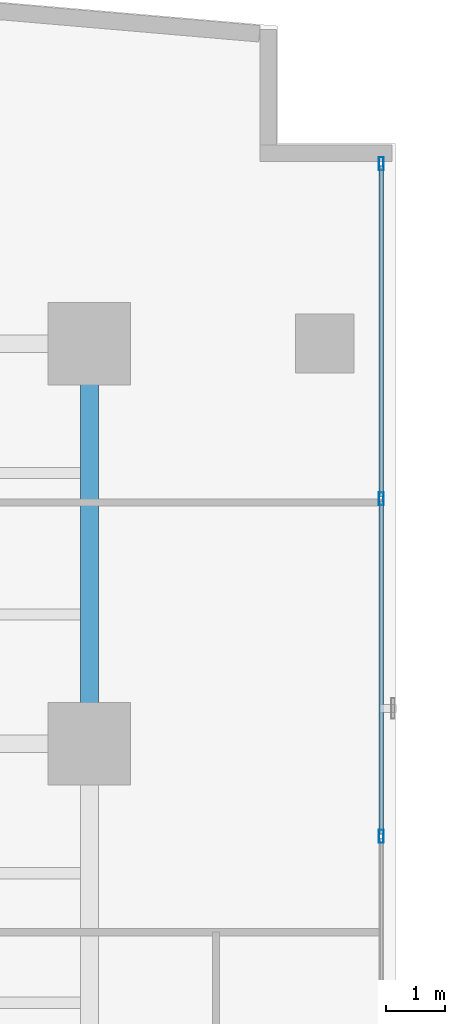
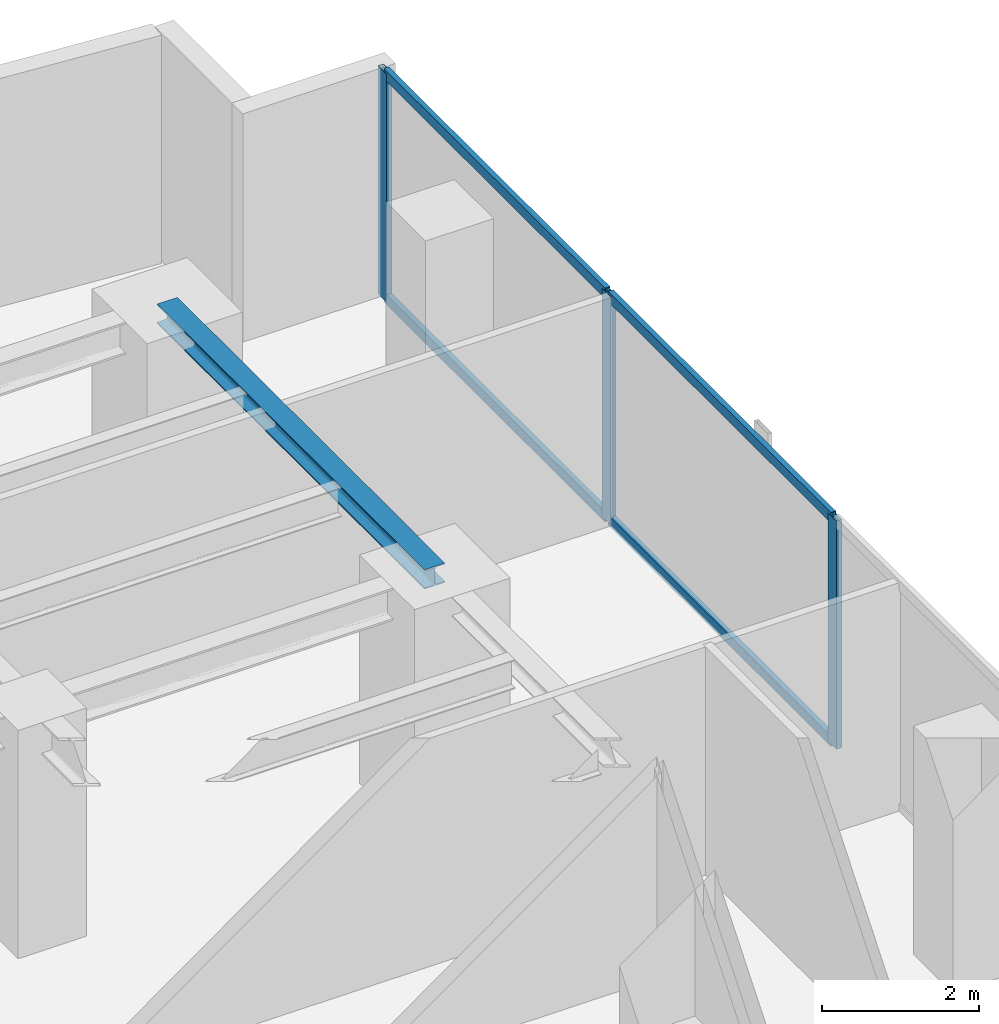
# One storey, part 18 of 28: 7 members, 1 beam, 1 element without a shape of its own.
"""IFC4 building model written with IfcOpenShell, lengths in metres."""

from ifc_helpers import new_model, si_unit, direction, frame, origin, origin_with_axes, origin_2d, place, context, subcontext, project, spatial, hollow_rectangle, i_section, extrude, source, transform, mapped, material, layer, layer_set, material_profile, profile_set, type_object, element, aggregate, save


model = new_model("IFC4")

# Units and contexts
model_context = context("Model", 3, precision=1e-05, world=origin(), true_north=direction((0.0, 1.0)))
body_context = subcontext(model_context, "Body", "Model", "MODEL_VIEW")
ifc_project = project(units=[si_unit("LENGTHUNIT", "METRE"), si_unit("AREAUNIT", "SQUARE_METRE"), si_unit("VOLUMEUNIT", "CUBIC_METRE"), si_unit("PLANEANGLEUNIT", "RADIAN"), si_unit("MASSUNIT", "GRAM", prefix="KILO")], contexts=[model_context])

# Site, building, storey
site_placement = place(None, origin())
site = spatial("IfcSite", under=ifc_project, at=site_placement, CompositionType="ELEMENT")
building_placement = place(site_placement, origin())
building = spatial("IfcBuilding", under=site, at=building_placement, Name="Kolvaren Waterfront Exchange", CompositionType="ELEMENT")
storey_placement = place(building_placement, frame((0.0, 0.0, 133.5)))
storey = spatial("IfcBuildingStorey", under=building, at=storey_placement, Name="L34", CompositionType="ELEMENT", Elevation=133.5)

# Beam
ifc_material_1 = material(Name="Steel S355", Category="steel")
ifc_material_profile_1 = material_profile(ifc_material_1, i_section(OverallWidth=0.300048828125, OverallDepth=0.300048828125, WebThickness=0.010986328125, FlangeThickness=0.01904296875, FilletRadius=0.027099609375, at=origin_2d()), Name="HEB300")
ifc_profile_set_1 = profile_set([ifc_material_profile_1], Name="Steel S355")
beam_type = type_object("IfcBeamType", Name="STR-BM-HEB300", PredefinedType="SPANDREL", material=ifc_profile_set_1)
beam_placement = place(storey_placement, frame((18.800048828125, 37.800048828125, 3.389892578125), z_axis=(0.0, 1.0, 0.0), x_axis=(-1.0, 0.0, 0.0)))
element("IfcBeam", 1, at=beam_placement, inside=storey, type_object=beam_type, Name="L34 north-arm edge beam 3", PredefinedType="SPANDREL", context=body_context, shape_type="SweptSolid", body=[
    extrude(i_section(OverallWidth=0.300048828125, OverallDepth=0.300048828125, WebThickness=0.010986328125, FlangeThickness=0.01904296875, FilletRadius=0.027099609375, at=origin_2d()), origin(), (0.0, 0.0, 1.0), 6.800048828125),
])

# Curtain wall, members
ifc_material_2 = material(Name="Anodised bronze aluminium 6063-T6", Category="aluminium")
ifc_layer = layer(ifc_material_2, 0.219970703125, Name="Anodised bronze aluminium 6063-T6")
ifc_layer_set = layer_set([ifc_layer], Name="Anodised bronze aluminium 6063-T6")
curtain_wall_type = type_object("IfcCurtainWallType", Name="ARC-CW-SYS1", PredefinedType="USERDEFINED", material=ifc_layer_set)
curtain_wall_placement = place(storey_placement, origin())
curtain_wall = element("IfcCurtainWall", 2, at=curtain_wall_placement, inside=storey, type_object=curtain_wall_type, Name="L34 stick curtain wall CW1 (CW-L34-NE)", ObjectType="STICK CURTAIN WALL", PredefinedType="USERDEFINED")
ifc_material_3 = material(Name="Anodised aluminium 6063-T6", Category="aluminium")
ifc_material_profile_2 = material_profile(ifc_material_3, hollow_rectangle(XDim=0.080078125, YDim=0.219970703125, WallThickness=0.0048828125, at=origin_2d()), Name="ALU-MUL-220x80x5")
ifc_profile_set_2 = profile_set([ifc_material_profile_2], Name="Anodised aluminium 6063-T6")
member_type_1 = type_object("IfcMemberType", Name="ARC-CWM-220", PredefinedType="MULLION", material=ifc_profile_set_2)
shared_shape_1 = source(origin_with_axes(), body_context, "Body", "SweptSolid", [
    extrude(hollow_rectangle(XDim=0.080078125, YDim=0.219970703125, WallThickness=0.0048828125, at=origin_2d()), origin(), (0.0, 0.0, 1.0), 3.5400390625),
])
member_1_placement = place(storey_placement, frame((23.760009765625, 36.2265625, 0.0), z_axis=(0.0, 0.0, 1.0), x_axis=(-1.0, 0.0, 0.0)))
member_1 = element("IfcMember", 3, at=member_1_placement, type_object=member_type_1, Name="CW1 mullion 2", PredefinedType="MULLION", context=body_context, shape_type="MappedRepresentation", body=[
    mapped(shared_shape_1, transform((0.0, 0.0, 0.0), x_axis=(1.0, 0.0, 0.0), y_axis=(0.0, 1.0, 0.0), z_axis=(0.0, 0.0, 1.0), scale=1.0)),
])
member_2_placement = place(storey_placement, frame((23.760009765625, 41.96337890625, 0.0), z_axis=(0.0, 0.0, 1.0), x_axis=(-1.0, 0.0, 0.0)))
member_2 = element("IfcMember", 4, at=member_2_placement, type_object=member_type_1, Name="CW1 mullion 3", PredefinedType="MULLION", context=body_context, shape_type="MappedRepresentation", body=[
    mapped(shared_shape_1, transform((0.0, 0.0, 0.0), x_axis=(1.0, 0.0, 0.0), y_axis=(0.0, 1.0, 0.0), z_axis=(0.0, 0.0, 1.0), scale=1.0)),
])
member_3_placement = place(storey_placement, frame((23.760009765625, 47.659912109375, 0.0), z_axis=(0.0, 0.0, 1.0), x_axis=(-1.0, 0.0, 0.0)))
member_3 = element("IfcMember", 5, at=member_3_placement, type_object=member_type_1, Name="CW1 mullion 4", PredefinedType="MULLION", context=body_context, shape_type="MappedRepresentation", body=[
    mapped(shared_shape_1, transform((0.0, 0.0, 0.0), x_axis=(1.0, 0.0, 0.0), y_axis=(0.0, 1.0, 0.0), z_axis=(0.0, 0.0, 1.0), scale=1.0)),
])
ifc_material_profile_3 = material_profile(ifc_material_3, hollow_rectangle(XDim=0.074951171875, YDim=0.159912109375, WallThickness=0.00439453125, at=origin_2d()), Name="ALU-TRN-160x75x4.5")
ifc_profile_set_3 = profile_set([ifc_material_profile_3], Name="Anodised aluminium 6063-T6")
member_type_2 = type_object("IfcMemberType", Name="ARC-CWT-160", PredefinedType="USERDEFINED", material=ifc_profile_set_3)
shared_shape_2 = source(origin_with_axes(), body_context, "Body", "SweptSolid", [
    extrude(hollow_rectangle(XDim=0.074951171875, YDim=0.159912109375, WallThickness=0.00439453125, at=origin_2d()), origin(), (0.0, 0.0, 1.0), 5.61669921875),
])
member_4_placement = place(storey_placement, frame((23.760009765625, 42.00341796875, 0.03759765625), z_axis=(0.0, 1.0, 0.0), x_axis=(-1.0, 0.0, 0.0)))
member_4 = element("IfcMember", 6, at=member_4_placement, type_object=member_type_2, Name="CW1 transom 3.1", ObjectType="TRANSOM", PredefinedType="USERDEFINED", context=body_context, shape_type="MappedRepresentation", body=[
    mapped(shared_shape_2, transform((0.0, 0.0, 0.0), x_axis=(1.0, 0.0, 0.0), y_axis=(0.0, 1.0, 0.0), z_axis=(0.0, 0.0, 1.0), scale=1.0)),
])
member_5_placement = place(storey_placement, frame((23.760009765625, 42.00341796875, 3.50244140625), z_axis=(0.0, 1.0, 0.0), x_axis=(-1.0, 0.0, 0.0)))
member_5 = element("IfcMember", 7, at=member_5_placement, type_object=member_type_2, Name="CW1 transom 3.2", ObjectType="TRANSOM", PredefinedType="USERDEFINED", context=body_context, shape_type="MappedRepresentation", body=[
    mapped(shared_shape_2, transform((0.0, 0.0, 0.0), x_axis=(1.0, 0.0, 0.0), y_axis=(0.0, 1.0, 0.0), z_axis=(0.0, 0.0, 1.0), scale=1.0)),
])
shared_shape_3 = source(origin_with_axes(), body_context, "Body", "SweptSolid", [
    extrude(hollow_rectangle(XDim=0.074951171875, YDim=0.159912109375, WallThickness=0.00439453125, at=origin_2d()), origin(), (0.0, 0.0, 1.0), 5.65673828125),
])
member_6_placement = place(storey_placement, frame((23.760009765625, 36.2666015625, 0.03759765625), z_axis=(0.0, 1.0, 0.0), x_axis=(-1.0, 0.0, 0.0)))
member_6 = element("IfcMember", 8, at=member_6_placement, type_object=member_type_2, Name="CW1 transom 2.1", ObjectType="TRANSOM", PredefinedType="USERDEFINED", context=body_context, shape_type="MappedRepresentation", body=[
    mapped(shared_shape_3, transform((0.0, 0.0, 0.0), x_axis=(1.0, 0.0, 0.0), y_axis=(0.0, 1.0, 0.0), z_axis=(0.0, 0.0, 1.0), scale=1.0)),
])
member_7_placement = place(storey_placement, frame((23.760009765625, 36.2666015625, 3.50244140625), z_axis=(0.0, 1.0, 0.0), x_axis=(-1.0, 0.0, 0.0)))
member_7 = element("IfcMember", 9, at=member_7_placement, type_object=member_type_2, Name="CW1 transom 2.2", ObjectType="TRANSOM", PredefinedType="USERDEFINED", context=body_context, shape_type="MappedRepresentation", body=[
    mapped(shared_shape_3, transform((0.0, 0.0, 0.0), x_axis=(1.0, 0.0, 0.0), y_axis=(0.0, 1.0, 0.0), z_axis=(0.0, 0.0, 1.0), scale=1.0)),
])
aggregate(curtain_wall, [member_1, member_2, member_3, member_6, member_7, member_4, member_5])

save(model, "model.ifc")
